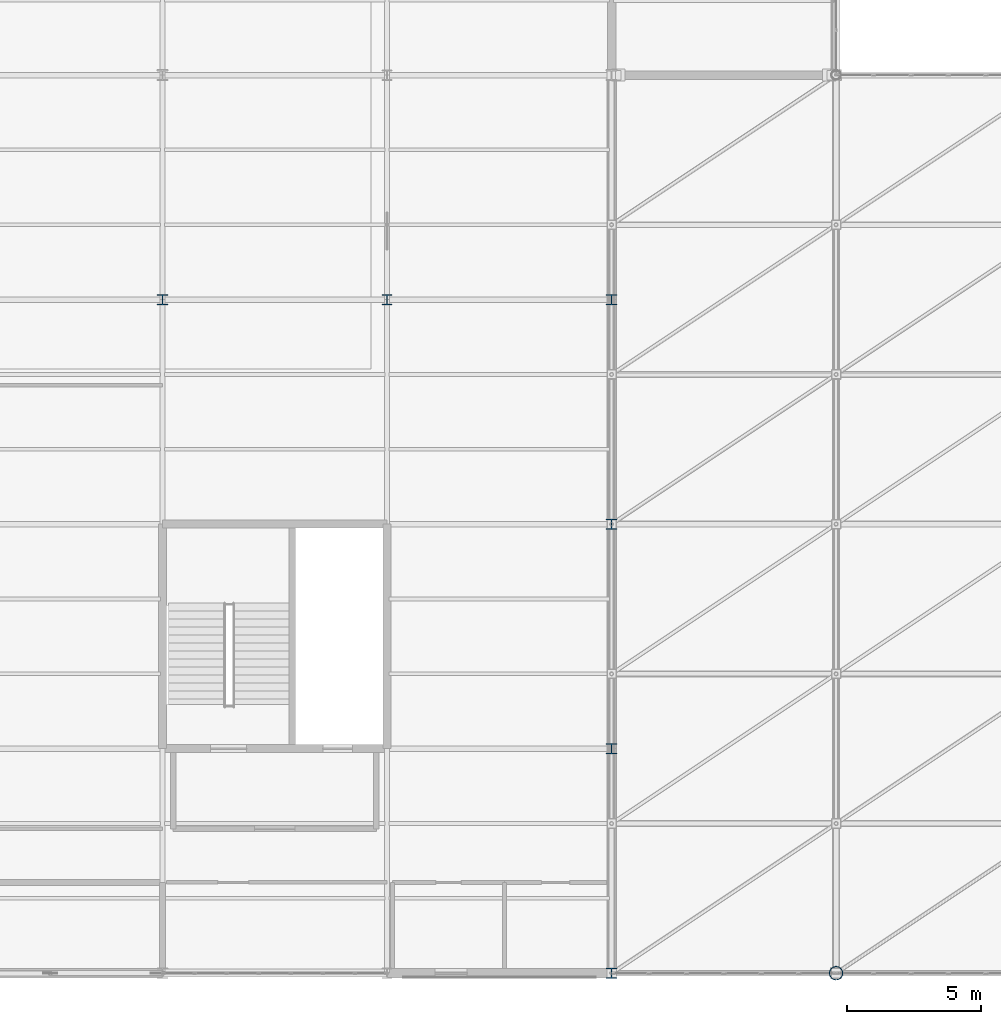
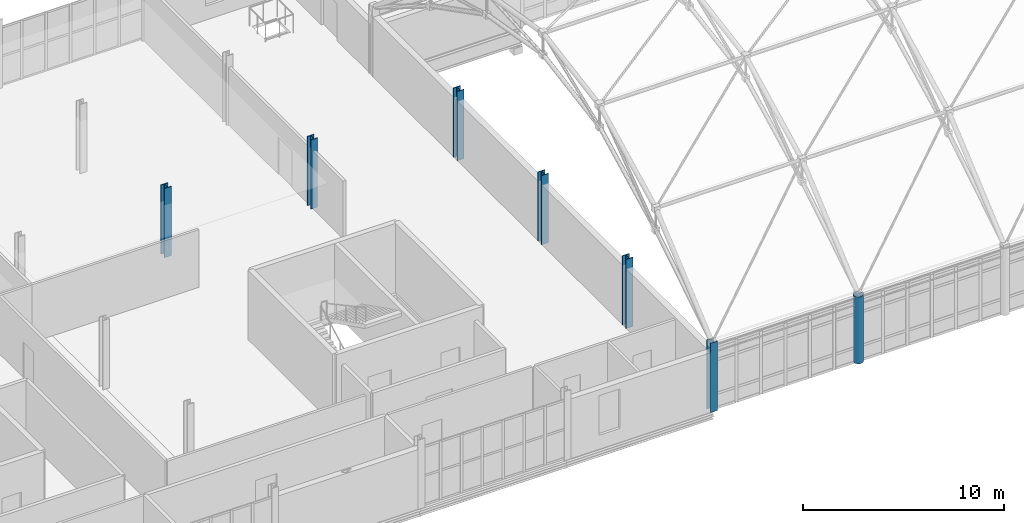
# One storey, part 2 of 184: 7 columns.
"""IFC4 building model written with IfcOpenShell, lengths in metres."""

from ifc_helpers import new_model, si_unit, direction, frame, origin, origin_2d, place, context, subcontext, project, spatial, hollow_circle, i_section, extrude, material, material_profile, profile_set, type_object, element, save


model = new_model("IFC4")

# Units and contexts
model_context = context("Model", 3, precision=1e-05, world=origin(), true_north=direction((0.0, 1.0)))
body_context = subcontext(model_context, "Body", "Model", "MODEL_VIEW")
ifc_project = project(units=[si_unit("LENGTHUNIT", "METRE"), si_unit("AREAUNIT", "SQUARE_METRE"), si_unit("VOLUMEUNIT", "CUBIC_METRE"), si_unit("PLANEANGLEUNIT", "RADIAN"), si_unit("MASSUNIT", "GRAM", prefix="KILO")], contexts=[model_context])

# Site, building, storey
site_placement = place(None, origin())
site = spatial("IfcSite", under=ifc_project, at=site_placement, CompositionType="ELEMENT")
building_placement = place(site_placement, origin())
building = spatial("IfcBuilding", under=site, at=building_placement, Name="Qalvenar Corner Mobility Hub", CompositionType="ELEMENT")
storey_placement = place(building_placement, frame((0.0, 0.0, 9.0)))
storey = spatial("IfcBuildingStorey", under=building, at=storey_placement, Name="L02", CompositionType="ELEMENT", Elevation=9.0)

# Columns
ifc_material = material(Name="Steel S355", Category="steel")
ifc_material_profile_1 = material_profile(ifc_material, hollow_circle(Radius=0.25390625, WallThickness=0.01611328125, at=origin_2d()), Name="CHS508x16")
ifc_profile_set_1 = profile_set([ifc_material_profile_1], Name="Steel S355")
column_type_1 = type_object("IfcColumnType", Name="COL-CHS508", PredefinedType="COLUMN", material=ifc_profile_set_1)
column_1_placement = place(storey_placement, frame((58.800048828125, 0.0, 0.0), z_axis=(0.0, 0.0, 1.0), x_axis=(1.0, 0.0, 0.0)))
element("IfcColumn", 1, at=column_1_placement, inside=storey, type_object=column_type_1, Name="Steel Column L02-G8-0", PredefinedType="COLUMN", context=body_context, shape_type="SweptSolid", body=[
    extrude(hollow_circle(Radius=0.25390625, WallThickness=0.01611328125, at=origin_2d()), origin(), (0.0, 0.0, 1.0), 4.06005859375),
])
ifc_material_profile_2 = material_profile(ifc_material, i_section(OverallWidth=0.376953125, OverallDepth=0.386962890625, WebThickness=0.0224609375, FlangeThickness=0.035888671875, FilletRadius=0.014892578125, at=origin_2d()), Name="HD360x262")
ifc_profile_set_2 = profile_set([ifc_material_profile_2], Name="Steel S355")
column_type_2 = type_object("IfcColumnType", Name="COL-HD360X262", PredefinedType="COLUMN", material=ifc_profile_set_2)
column_2_placement = place(storey_placement, frame((42.0, 25.199951171875, 0.0), z_axis=(0.0, 0.0, 1.0), x_axis=(1.0, 0.0, 0.0)))
element("IfcColumn", 2, at=column_2_placement, inside=storey, type_object=column_type_2, Name="Steel Column L02-G6-3", PredefinedType="COLUMN", context=body_context, shape_type="SweptSolid", body=[
    extrude(i_section(OverallWidth=0.376953125, OverallDepth=0.386962890625, WebThickness=0.0224609375, FlangeThickness=0.035888671875, FilletRadius=0.014892578125, at=origin_2d()), origin(), (0.0, 0.0, 1.0), 4.199951171875),
])
ifc_material_profile_3 = material_profile(ifc_material, i_section(OverallWidth=0.40087890625, OverallDepth=0.39892578125, WebThickness=0.02490234375, FlangeThickness=0.03955078125, FilletRadius=0.014892578125, at=origin_2d()), Name="HD400x314")
ifc_profile_set_3 = profile_set([ifc_material_profile_3], Name="Steel S355")
column_type_3 = type_object("IfcColumnType", Name="COL-HD400X314", PredefinedType="COLUMN", material=ifc_profile_set_3)
for number, where, z_axis, x_axis, name in (
    (3, (33.60009765625, 25.199951171875, 0.0), (0.0, 0.0, 1.0), (1.0, 0.0, 0.0), "Steel Column L02-G5-3"),
    (4, (50.39990234375, 0.0, 0.0), (0.0, 0.0, 1.0), (1.0, 0.0, 0.0), "Steel Column L02-G7-0"),
    (5, (50.39990234375, 8.39990234375, 0.0), (0.0, 0.0, 1.0), (1.0, 0.0, 0.0), "Steel Column L02-G7-1"),
    (6, (50.39990234375, 16.800048828125, 0.0), (0.0, 0.0, 1.0), (1.0, 0.0, 0.0), "Steel Column L02-G7-2"),
    (7, (50.39990234375, 25.199951171875, 0.0), (0.0, 0.0, 1.0), (1.0, 0.0, 0.0), "Steel Column L02-G7-3"),
):
    element("IfcColumn", number, at=place(storey_placement, frame(where, z_axis=z_axis, x_axis=x_axis)), inside=storey, type_object=column_type_3, Name=name, PredefinedType="COLUMN", context=body_context, shape_type="SweptSolid", body=[
        extrude(i_section(OverallWidth=0.40087890625, OverallDepth=0.39892578125, WebThickness=0.02490234375, FlangeThickness=0.03955078125, FilletRadius=0.014892578125, at=origin_2d()), origin(), (0.0, 0.0, 1.0), 4.199951171875),
    ])

save(model, "model.ifc")
